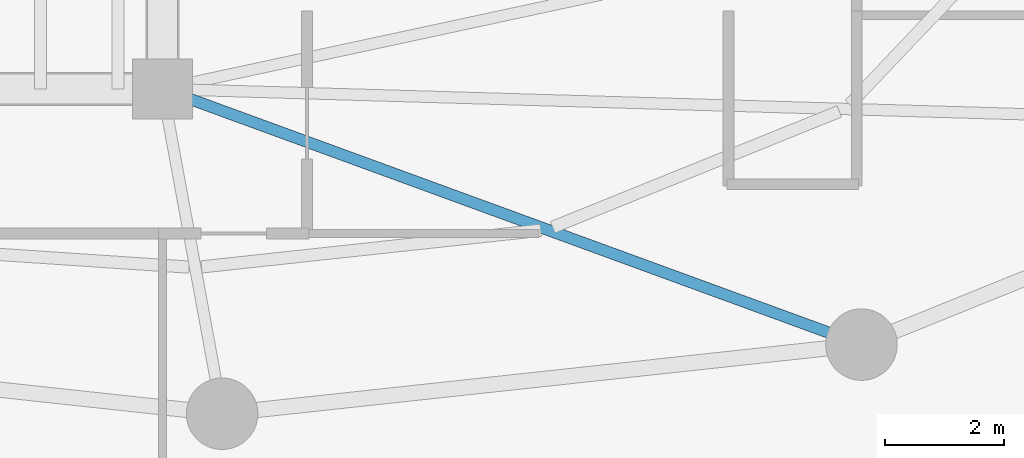
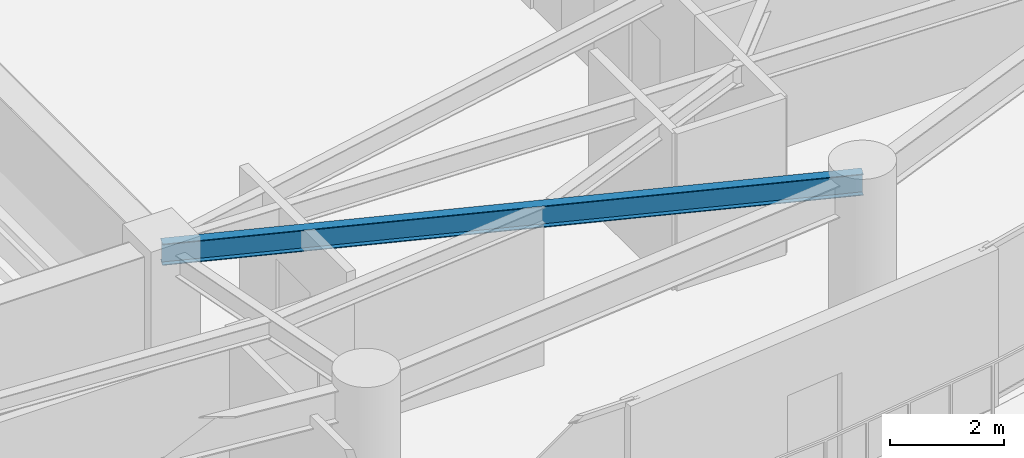
# One storey, part 11 of 34: 1 beam.
"""IFC4 building model written with IfcOpenShell, lengths in metres."""

from ifc_helpers import new_model, si_unit, direction, frame, origin, origin_2d, place, context, subcontext, project, spatial, i_section, extrude, material, material_profile, profile_set, type_object, element, save


model = new_model("IFC4")

# Units and contexts
model_context = context("Model", 3, precision=1e-05, world=origin(), true_north=direction((0.0, 1.0)))
body_context = subcontext(model_context, "Body", "Model", "MODEL_VIEW")
ifc_project = project(units=[si_unit("LENGTHUNIT", "METRE"), si_unit("AREAUNIT", "SQUARE_METRE"), si_unit("VOLUMEUNIT", "CUBIC_METRE"), si_unit("PLANEANGLEUNIT", "RADIAN"), si_unit("MASSUNIT", "GRAM", prefix="KILO")], contexts=[model_context])

# Site, building, storey
site_placement = place(None, origin())
site = spatial("IfcSite", under=ifc_project, at=site_placement, CompositionType="ELEMENT")
building_placement = place(site_placement, origin())
building = spatial("IfcBuilding", under=site, at=building_placement, Name="Kazevale Care Tower and Concert Hall", CompositionType="ELEMENT")
storey_placement = place(building_placement, frame((0.0, 0.0, 163.800048828125)))
storey = spatial("IfcBuildingStorey", under=building, at=storey_placement, Name="L43", CompositionType="ELEMENT", Elevation=163.800048828125)

# Beam
ifc_material = material(Name="Steel ASTM A572 Gr 50", Category="steel")
ifc_material_profile = material_profile(ifc_material, i_section(OverallWidth=0.19091796875, OverallDepth=0.4599609375, WebThickness=0.010009765625, FlangeThickness=0.01611328125, at=origin_2d()), Name="W460x82")
ifc_profile_set = profile_set([ifc_material_profile], Name="Steel ASTM A572 Gr 50")
beam_type = type_object("IfcBeamType", Name="Radial Floor Beam W460x82", PredefinedType="BEAM", material=ifc_profile_set)
beam_placement = place(storey_placement, frame((44.0, 23.60009765625, 3.1298828125), z_axis=(0.939159459123, -0.343481455599, 0.0), x_axis=(0.343481455599, 0.939159459123, 0.0)))
element("IfcBeam", 1, at=beam_placement, inside=storey, type_object=beam_type, Name="beam:L43:rad:14", PredefinedType="BEAM", context=body_context, shape_type="SweptSolid", body=[
    extrude(i_section(OverallWidth=0.19091796875, OverallDepth=0.4599609375, WebThickness=0.010009765625, FlangeThickness=0.01611328125, at=origin_2d()), origin(), (0.0, 0.0, 1.0), 12.489990234375),
])

save(model, "model.ifc")
